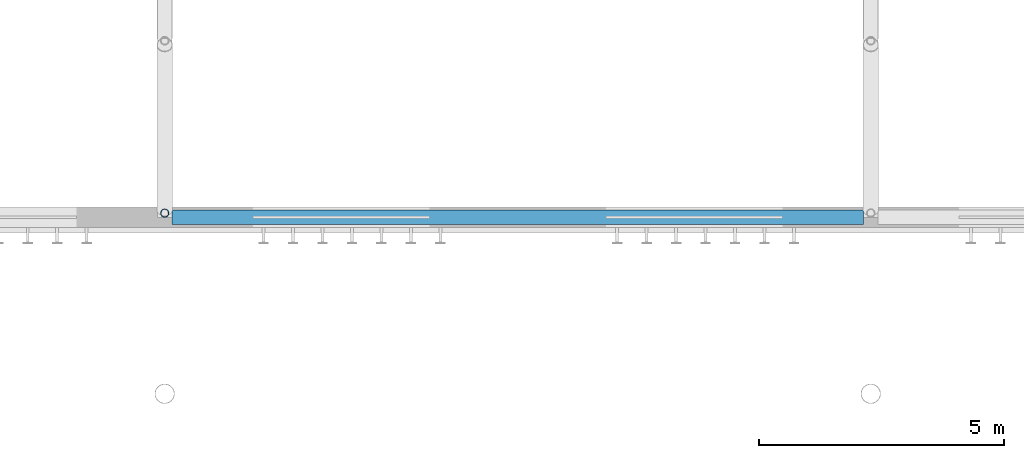
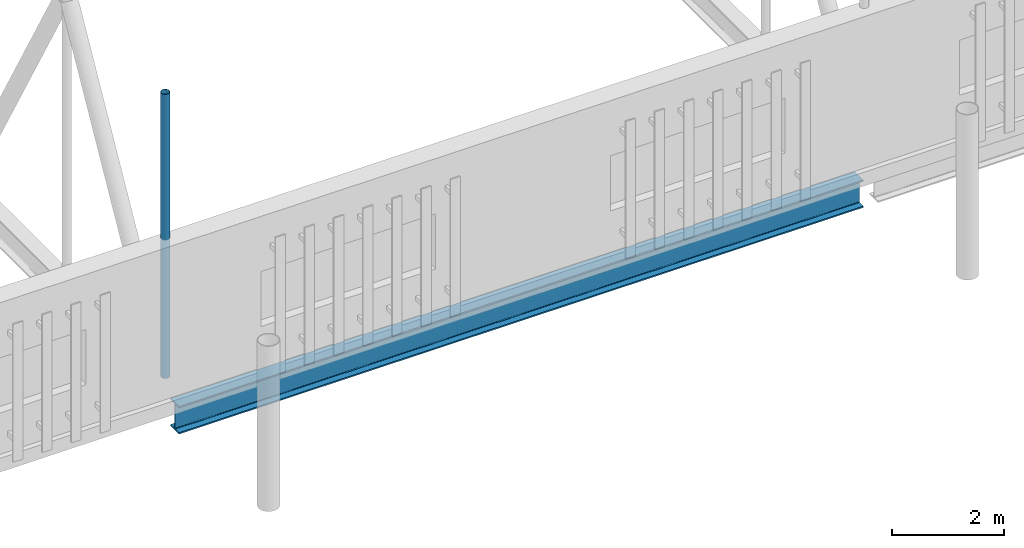
# One storey, part 30 of 142: 1 beam, 1 member.
"""IFC4 building model written with IfcOpenShell, lengths in metres."""

from ifc_helpers import new_model, si_unit, direction, frame, origin, origin_2d, place, context, subcontext, project, spatial, hollow_circle, i_section, extrude, material, material_profile, profile_set, type_object, element, save


model = new_model("IFC4")

# Units and contexts
model_context = context("Model", 3, precision=1e-05, world=origin(), true_north=direction((0.0, 1.0)))
body_context = subcontext(model_context, "Body", "Model", "MODEL_VIEW")
ifc_project = project(units=[si_unit("LENGTHUNIT", "METRE"), si_unit("AREAUNIT", "SQUARE_METRE"), si_unit("VOLUMEUNIT", "CUBIC_METRE"), si_unit("PLANEANGLEUNIT", "RADIAN"), si_unit("MASSUNIT", "GRAM", prefix="KILO")], contexts=[model_context])

# Site, building, storey
site_placement = place(None, origin())
site = spatial("IfcSite", under=ifc_project, at=site_placement, CompositionType="ELEMENT")
building_placement = place(site_placement, origin())
building = spatial("IfcBuilding", under=site, at=building_placement, Name="Kupolbacken Congress Centre", CompositionType="ELEMENT")
storey_placement = place(building_placement, frame((0.0, 0.0, 14.39990234375)))
storey = spatial("IfcBuildingStorey", under=building, at=storey_placement, Name="L04", CompositionType="ELEMENT", Elevation=14.39990234375)

# Beam
ifc_material_1 = material(Name="Steel S355", Category="steel")
ifc_material_profile_1 = material_profile(ifc_material_1, i_section(OverallWidth=0.300048828125, OverallDepth=0.60009765625, WebThickness=0.015380859375, FlangeThickness=0.030029296875, FilletRadius=0.027099609375, at=origin_2d()), Name="HEB 600")
ifc_profile_set_1 = profile_set([ifc_material_profile_1], Name="Steel S355")
beam_type = type_object("IfcBeamType", Name="B15 beam HEB 600", PredefinedType="BEAM", material=ifc_profile_set_1)
beam_placement = place(storey_placement, frame((93.75, 43.199951171875, -0.2998046875), z_axis=(1.0, 0.0, 0.0), x_axis=(0.0, 1.0, 0.0)))
element("IfcBeam", 1, at=beam_placement, inside=storey, type_object=beam_type, Name="Edge girder", PredefinedType="BEAM", context=body_context, shape_type="SweptSolid", body=[
    extrude(i_section(OverallWidth=0.300048828125, OverallDepth=0.60009765625, WebThickness=0.015380859375, FlangeThickness=0.030029296875, FilletRadius=0.027099609375, at=origin_2d()), origin(), (0.0, 0.0, 1.0), 14.10009765625),
])

# Member
ifc_material_2 = material(Name="Steel S355", Category="steel")
ifc_material_profile_2 = material_profile(ifc_material_2, hollow_circle(Radius=0.084228515625, WallThickness=0.008056640625, at=origin_2d()), Name="CHS 168.3 x 8")
ifc_profile_set_2 = profile_set([ifc_material_profile_2], Name="Steel S355")
member_type = type_object("IfcMemberType", Name="M20 transfer truss post CHS 168.3 x 8", PredefinedType="STRUT", material=ifc_profile_set_2)
member_placement = place(storey_placement, frame((93.60009765625, 43.2841796875, 0.580078125), z_axis=(0.0, 0.0, 1.0), x_axis=(0.0, 1.0, 0.0)))
element("IfcMember", 2, at=member_placement, inside=storey, type_object=member_type, Name="HT/T1/P00", PredefinedType="STRUT", context=body_context, shape_type="SweptSolid", body=[
    extrude(hollow_circle(Radius=0.084228515625, WallThickness=0.008056640625, at=origin_2d()), origin(), (0.0, 0.0, 1.0), 6.18994140625),
])

save(model, "model.ifc")
